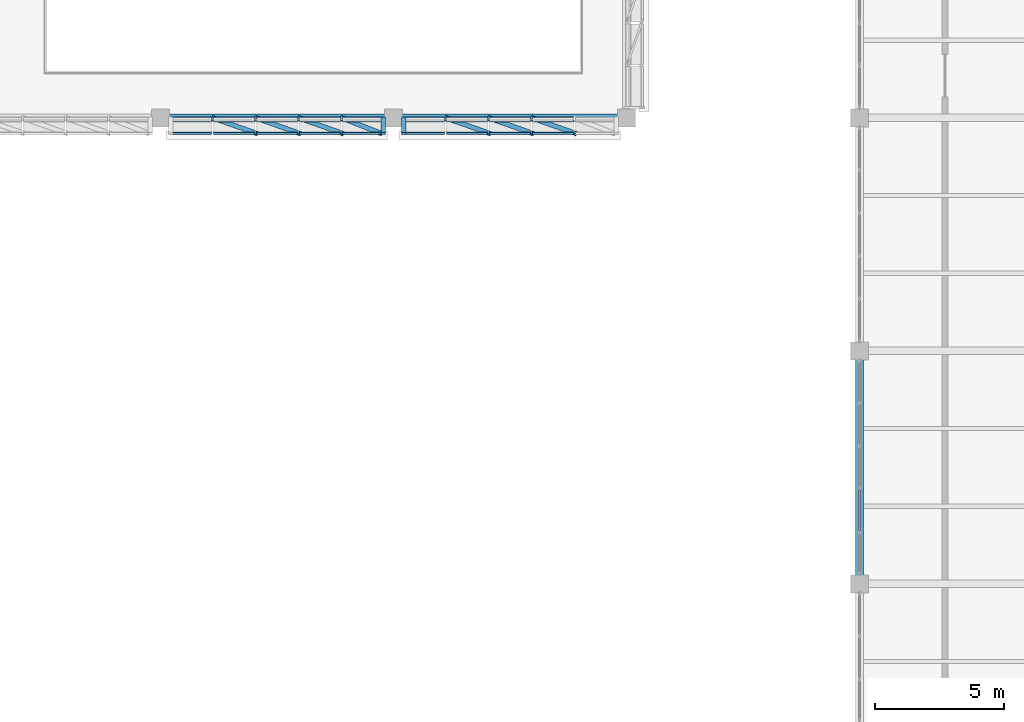
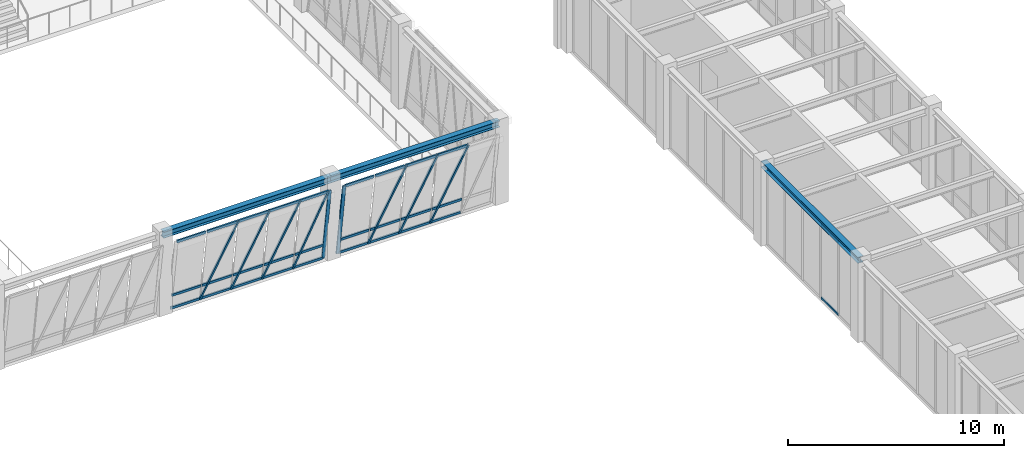
# One storey, part 48 of 92: 38 members, 3 beams, 3 elements without a shape of their own.
"""IFC4 building model written with IfcOpenShell, lengths in metres."""

from ifc_helpers import new_model, si_unit, direction, frame, origin, origin_2d, place, context, subcontext, project, spatial, hollow_rectangle, i_section, extrude, material, material_profile, profile_set, type_object, element, aggregate, save


model = new_model("IFC4")

# Units and contexts
model_context = context("Model", 3, precision=1e-05, world=origin(), true_north=direction((0.0, 1.0)))
body_context = subcontext(model_context, "Body", "Model", "MODEL_VIEW")
ifc_project = project(units=[si_unit("LENGTHUNIT", "METRE"), si_unit("AREAUNIT", "SQUARE_METRE"), si_unit("VOLUMEUNIT", "CUBIC_METRE"), si_unit("PLANEANGLEUNIT", "RADIAN"), si_unit("MASSUNIT", "GRAM", prefix="KILO")], contexts=[model_context])

# Site, building, storey
site_placement = place(None, origin())
site = spatial("IfcSite", under=ifc_project, at=site_placement, CompositionType="ELEMENT")
building_placement = place(site_placement, origin())
building = spatial("IfcBuilding", under=site, at=building_placement, Name="Lykobir Media Centre", CompositionType="ELEMENT")
storey_placement = place(building_placement, frame((0.0, 0.0, 5.39990234375)))
storey = spatial("IfcBuildingStorey", under=building, at=storey_placement, Name="L01", CompositionType="ELEMENT", Elevation=5.39990234375)

# Curtain wall, members
ifc_material_1 = material(Name="Anodized Aluminium AW-6060", Category="aluminium")
curtain_wall_type_1 = type_object("IfcCurtainWallType", Name="CW-V6-CR1", PredefinedType="NOTDEFINED", material=ifc_material_1)
curtain_wall_1_placement = place(storey_placement, origin())
curtain_wall_1 = element("IfcCurtainWall", 1, at=curtain_wall_1_placement, inside=storey, type_object=curtain_wall_type_1, Name="Curtain wall CW2-L01-0056", PredefinedType="NOTDEFINED")
ifc_material_profile_1 = material_profile(ifc_material_1, hollow_rectangle(XDim=0.074951171875, YDim=0.179931640625, WallThickness=0.00390625, at=origin_2d()), Name="ALU MULLION 75x180")
ifc_profile_set_1 = profile_set([ifc_material_profile_1], Name="Anodized Aluminium AW-6060")
member_type_1 = type_object("IfcMemberType", Name="CWM-180", PredefinedType="MULLION", material=ifc_profile_set_1)
member_1_placement = place(storey_placement, frame((65.012939453125, 63.0, 0.0), z_axis=(0.374602604658, -0.132237817099, 0.917706951217), x_axis=(-0.865370560596, 0.305482963792, 0.39725804169)))
member_1 = element("IfcMember", 2, at=member_1_placement, type_object=member_type_1, Name="CW2-L01-0056 mullion 2", PredefinedType="MULLION", context=body_context, shape_type="SweptSolid", body=[
    extrude(hollow_rectangle(XDim=0.074951171875, YDim=0.179931640625, WallThickness=0.00390625, at=origin_2d()), origin(), (0.0, 0.0, 1.0), 4.5712890625),
])
member_2_placement = place(storey_placement, frame((66.6708984375, 63.0, 0.0), z_axis=(0.374602604658, -0.132237817099, 0.917706951217), x_axis=(-0.865370560596, 0.305482963792, 0.39725804169)))
member_2 = element("IfcMember", 3, at=member_2_placement, type_object=member_type_1, Name="CW2-L01-0056 mullion 3", PredefinedType="MULLION", context=body_context, shape_type="SweptSolid", body=[
    extrude(hollow_rectangle(XDim=0.074951171875, YDim=0.179931640625, WallThickness=0.00390625, at=origin_2d()), origin(), (0.0, 0.0, 1.0), 4.5712890625),
])
member_3_placement = place(storey_placement, frame((68.3291015625, 63.0, 0.0), z_axis=(0.374602604658, -0.132237817099, 0.917706951217), x_axis=(-0.865370560596, 0.305482963792, 0.39725804169)))
member_3 = element("IfcMember", 4, at=member_3_placement, type_object=member_type_1, Name="CW2-L01-0056 mullion 4", PredefinedType="MULLION", context=body_context, shape_type="SweptSolid", body=[
    extrude(hollow_rectangle(XDim=0.074951171875, YDim=0.179931640625, WallThickness=0.00390625, at=origin_2d()), origin(), (0.0, 0.0, 1.0), 4.5712890625),
])
member_4_placement = place(storey_placement, frame((69.987060546875, 63.0, 0.0), z_axis=(0.34256027137, -0.133993559544, 0.929891491777), x_axis=(-0.865999136953, 0.338738366998, 0.367833948298)))
member_4 = element("IfcMember", 5, at=member_4_placement, type_object=member_type_1, Name="CW2-L01-0056 mullion 5", PredefinedType="MULLION", context=body_context, shape_type="SweptSolid", body=[
    extrude(hollow_rectangle(XDim=0.074951171875, YDim=0.179931640625, WallThickness=0.00390625, at=origin_2d()), origin(), (0.0, 0.0, 1.0), 4.511474609375),
])
member_5_placement = place(storey_placement, frame((71.607421875, 63.0, 0.0), z_axis=(0.0, -0.142622832142, 0.989777110137), x_axis=(0.0, 0.989777110137, 0.142622832142)))
member_5 = element("IfcMember", 6, at=member_5_placement, type_object=member_type_1, Name="CW2-L01-0056 mullion 6", PredefinedType="MULLION", context=body_context, shape_type="SweptSolid", body=[
    extrude(hollow_rectangle(XDim=0.074951171875, YDim=0.179931640625, WallThickness=0.00390625, at=origin_2d()), origin(), (0.0, 0.0, 1.0), 4.23828125),
])

curtain_wall_2_placement = place(storey_placement, origin())
curtain_wall_2 = element("IfcCurtainWall", 7, at=curtain_wall_2_placement, inside=storey, type_object=curtain_wall_type_1, Name="Curtain wall CW2-L01-0057", PredefinedType="NOTDEFINED")
member_6_placement = place(storey_placement, frame((72.392578125, 63.0, 0.0), z_axis=(0.0, -0.142622832142, 0.989777110137), x_axis=(0.0, 0.989777110137, 0.142622832142)))
member_6 = element("IfcMember", 8, at=member_6_placement, type_object=member_type_1, Name="CW2-L01-0057 mullion 1", PredefinedType="MULLION", context=body_context, shape_type="SweptSolid", body=[
    extrude(hollow_rectangle(XDim=0.074951171875, YDim=0.179931640625, WallThickness=0.00390625, at=origin_2d()), origin(), (0.0, 0.0, 1.0), 4.23828125),
])
member_7_placement = place(storey_placement, frame((74.012939453125, 63.0, 0.0), z_axis=(0.374602604658, -0.132237817099, 0.917706951217), x_axis=(-0.865370560596, 0.305482963792, 0.39725804169)))
member_7 = element("IfcMember", 9, at=member_7_placement, type_object=member_type_1, Name="CW2-L01-0057 mullion 2", PredefinedType="MULLION", context=body_context, shape_type="SweptSolid", body=[
    extrude(hollow_rectangle(XDim=0.074951171875, YDim=0.179931640625, WallThickness=0.00390625, at=origin_2d()), origin(), (0.0, 0.0, 1.0), 4.5712890625),
])
member_8_placement = place(storey_placement, frame((75.6708984375, 63.0, 0.0), z_axis=(0.374602604658, -0.132237817099, 0.917706951217), x_axis=(-0.865370560596, 0.305482963792, 0.39725804169)))
member_8 = element("IfcMember", 10, at=member_8_placement, type_object=member_type_1, Name="CW2-L01-0057 mullion 3", PredefinedType="MULLION", context=body_context, shape_type="SweptSolid", body=[
    extrude(hollow_rectangle(XDim=0.074951171875, YDim=0.179931640625, WallThickness=0.00390625, at=origin_2d()), origin(), (0.0, 0.0, 1.0), 4.5712890625),
])
member_9_placement = place(storey_placement, frame((77.3291015625, 63.0, 0.0), z_axis=(0.374602604658, -0.132237817099, 0.917706951217), x_axis=(-0.865370560596, 0.305482963792, 0.39725804169)))
member_9 = element("IfcMember", 11, at=member_9_placement, type_object=member_type_1, Name="CW2-L01-0057 mullion 4", PredefinedType="MULLION", context=body_context, shape_type="SweptSolid", body=[
    extrude(hollow_rectangle(XDim=0.074951171875, YDim=0.179931640625, WallThickness=0.00390625, at=origin_2d()), origin(), (0.0, 0.0, 1.0), 4.5712890625),
])

curtain_wall_type_2 = type_object("IfcCurtainWallType", Name="CW-BRIDGE", PredefinedType="NOTDEFINED", material=ifc_material_1)
curtain_wall_3_placement = place(storey_placement, origin())
curtain_wall_3 = element("IfcCurtainWall", 12, at=curtain_wall_3_placement, inside=storey, type_object=curtain_wall_type_2, Name="Curtain wall CW2-L01-0040", PredefinedType="NOTDEFINED")
ifc_material_profile_2 = material_profile(ifc_material_1, hollow_rectangle(XDim=0.06494140625, YDim=0.1201171875, WallThickness=0.0029296875, at=origin_2d()), Name="ALU TRANSOM 65x120")
ifc_profile_set_2 = profile_set([ifc_material_profile_2], Name="Anodized Aluminium AW-6060")
member_type_2 = type_object("IfcMemberType", Name="CWT-120", PredefinedType="USERDEFINED", material=ifc_profile_set_2)
member_10_placement = place(storey_placement, frame((90.0, 47.04541015625, 0.03271484375), z_axis=(0.0, 1.0, 0.0), x_axis=(-1.0, 0.0, 0.0)))
member_10 = element("IfcMember", 13, at=member_10_placement, type_object=member_type_2, Name="CW2-L01-0040 transom 2.1", ObjectType="TRANSOM", PredefinedType="USERDEFINED", context=body_context, shape_type="SweptSolid", body=[
    extrude(hollow_rectangle(XDim=0.06494140625, YDim=0.1201171875, WallThickness=0.0029296875, at=origin_2d()), origin(), (0.0, 0.0, 1.0), 1.593017578125),
])
member_11_placement = place(storey_placement, frame((90.0, 47.04541015625, 4.16259765625), z_axis=(0.0, 1.0, 0.0), x_axis=(-1.0, 0.0, 0.0)))
member_11 = element("IfcMember", 14, at=member_11_placement, type_object=member_type_2, Name="CW2-L01-0040 transom 2.2", ObjectType="TRANSOM", PredefinedType="USERDEFINED", context=body_context, shape_type="SweptSolid", body=[
    extrude(hollow_rectangle(XDim=0.06494140625, YDim=0.1201171875, WallThickness=0.0029296875, at=origin_2d()), origin(), (0.0, 0.0, 1.0), 1.593017578125),
])
aggregate(curtain_wall_3, [member_10, member_11])

# Member
ifc_material_profile_3 = material_profile(ifc_material_1, hollow_rectangle(XDim=0.074951171875, YDim=0.14990234375, WallThickness=0.00341796875, at=origin_2d()), Name="ALU TRANSOM 75x150")
ifc_profile_set_3 = profile_set([ifc_material_profile_3], Name="Anodized Aluminium AW-6060")
member_type_3 = type_object("IfcMemberType", Name="CWT-150", PredefinedType="USERDEFINED", material=ifc_profile_set_3)
member_12_placement = place(storey_placement, frame((63.429931640625, 62.99462890625, 0.037109375), z_axis=(1.0, 0.0, 0.0), x_axis=(0.0, 0.989776230908, 0.142628933706)))
member_12 = element("IfcMember", 15, at=member_12_placement, type_object=member_type_3, Name="CW2-L01-0056 transom 1.1", ObjectType="TRANSOM", PredefinedType="USERDEFINED", context=body_context, shape_type="SweptSolid", body=[
    extrude(hollow_rectangle(XDim=0.074951171875, YDim=0.14990234375, WallThickness=0.00341796875, at=origin_2d()), origin(), (0.0, 0.0, 1.0), 1.545654296875),
])

member_13_placement = place(storey_placement, frame((63.429931640625, 62.87890625, 0.84130859375), z_axis=(1.0, 0.0, 0.0), x_axis=(0.0, 0.989776230908, 0.142628933706)))
member_13 = element("IfcMember", 16, at=member_13_placement, type_object=member_type_3, Name="CW2-L01-0056 transom 1.2", ObjectType="TRANSOM", PredefinedType="USERDEFINED", context=body_context, shape_type="SweptSolid", body=[
    extrude(hollow_rectangle(XDim=0.074951171875, YDim=0.14990234375, WallThickness=0.00341796875, at=origin_2d()), origin(), (0.0, 0.0, 1.0), 1.545654296875),
])

member_14_placement = place(storey_placement, frame((63.429931640625, 62.40087890625, 4.157958984375), z_axis=(1.0, 0.0, 0.0), x_axis=(0.0, 0.989776230908, 0.142628933706)))
member_14 = element("IfcMember", 17, at=member_14_placement, type_object=member_type_3, Name="CW2-L01-0056 transom 1.3", ObjectType="TRANSOM", PredefinedType="USERDEFINED", context=body_context, shape_type="SweptSolid", body=[
    extrude(hollow_rectangle(XDim=0.074951171875, YDim=0.14990234375, WallThickness=0.00341796875, at=origin_2d()), origin(), (0.0, 0.0, 1.0), 1.545654296875),
])

member_15_placement = place(storey_placement, frame((65.050537109375, 62.99462890625, 0.037109375), z_axis=(1.0, 0.0, 0.0), x_axis=(0.0, 0.989776230908, 0.142628933706)))
member_15 = element("IfcMember", 18, at=member_15_placement, type_object=member_type_3, Name="CW2-L01-0056 transom 2.1", ObjectType="TRANSOM", PredefinedType="USERDEFINED", context=body_context, shape_type="SweptSolid", body=[
    extrude(hollow_rectangle(XDim=0.074951171875, YDim=0.14990234375, WallThickness=0.00341796875, at=origin_2d()), origin(), (0.0, 0.0, 1.0), 1.5830078125),
])

member_16_placement = place(storey_placement, frame((65.050537109375, 62.87890625, 0.84130859375), z_axis=(1.0, 0.0, 0.0), x_axis=(0.0, 0.989776230908, 0.142628933706)))
member_16 = element("IfcMember", 19, at=member_16_placement, type_object=member_type_3, Name="CW2-L01-0056 transom 2.2", ObjectType="TRANSOM", PredefinedType="USERDEFINED", context=body_context, shape_type="SweptSolid", body=[
    extrude(hollow_rectangle(XDim=0.074951171875, YDim=0.14990234375, WallThickness=0.00341796875, at=origin_2d()), origin(), (0.0, 0.0, 1.0), 1.5830078125),
])

member_17_placement = place(storey_placement, frame((65.050537109375, 62.40087890625, 4.157958984375), z_axis=(1.0, 0.0, 0.0), x_axis=(0.0, 0.989776230908, 0.142628933706)))
member_17 = element("IfcMember", 20, at=member_17_placement, type_object=member_type_3, Name="CW2-L01-0056 transom 2.3", ObjectType="TRANSOM", PredefinedType="USERDEFINED", context=body_context, shape_type="SweptSolid", body=[
    extrude(hollow_rectangle(XDim=0.074951171875, YDim=0.14990234375, WallThickness=0.00341796875, at=origin_2d()), origin(), (0.0, 0.0, 1.0), 1.5830078125),
])

member_18_placement = place(storey_placement, frame((66.70849609375, 62.99462890625, 0.037109375), z_axis=(1.0, 0.0, 0.0), x_axis=(0.0, 0.989776230908, 0.142628933706)))
member_18 = element("IfcMember", 21, at=member_18_placement, type_object=member_type_3, Name="CW2-L01-0056 transom 3.1", ObjectType="TRANSOM", PredefinedType="USERDEFINED", context=body_context, shape_type="SweptSolid", body=[
    extrude(hollow_rectangle(XDim=0.074951171875, YDim=0.14990234375, WallThickness=0.00341796875, at=origin_2d()), origin(), (0.0, 0.0, 1.0), 1.5830078125),
])

member_19_placement = place(storey_placement, frame((66.70849609375, 62.87890625, 0.84130859375), z_axis=(1.0, 0.0, 0.0), x_axis=(0.0, 0.989776230908, 0.142628933706)))
member_19 = element("IfcMember", 22, at=member_19_placement, type_object=member_type_3, Name="CW2-L01-0056 transom 3.2", ObjectType="TRANSOM", PredefinedType="USERDEFINED", context=body_context, shape_type="SweptSolid", body=[
    extrude(hollow_rectangle(XDim=0.074951171875, YDim=0.14990234375, WallThickness=0.00341796875, at=origin_2d()), origin(), (0.0, 0.0, 1.0), 1.5830078125),
])

member_20_placement = place(storey_placement, frame((66.70849609375, 62.40087890625, 4.157958984375), z_axis=(1.0, 0.0, 0.0), x_axis=(0.0, 0.989776230908, 0.142628933706)))
member_20 = element("IfcMember", 23, at=member_20_placement, type_object=member_type_3, Name="CW2-L01-0056 transom 3.3", ObjectType="TRANSOM", PredefinedType="USERDEFINED", context=body_context, shape_type="SweptSolid", body=[
    extrude(hollow_rectangle(XDim=0.074951171875, YDim=0.14990234375, WallThickness=0.00341796875, at=origin_2d()), origin(), (0.0, 0.0, 1.0), 1.5830078125),
])

member_21_placement = place(storey_placement, frame((68.366455078125, 62.99462890625, 0.037109375), z_axis=(1.0, 0.0, 0.0), x_axis=(0.0, 0.989776230908, 0.142628933706)))
member_21 = element("IfcMember", 24, at=member_21_placement, type_object=member_type_3, Name="CW2-L01-0056 transom 4.1", ObjectType="TRANSOM", PredefinedType="USERDEFINED", context=body_context, shape_type="SweptSolid", body=[
    extrude(hollow_rectangle(XDim=0.074951171875, YDim=0.14990234375, WallThickness=0.00341796875, at=origin_2d()), origin(), (0.0, 0.0, 1.0), 1.5830078125),
])

member_22_placement = place(storey_placement, frame((68.366455078125, 62.87890625, 0.84130859375), z_axis=(1.0, 0.0, 0.0), x_axis=(0.0, 0.989776230908, 0.142628933706)))
member_22 = element("IfcMember", 25, at=member_22_placement, type_object=member_type_3, Name="CW2-L01-0056 transom 4.2", ObjectType="TRANSOM", PredefinedType="USERDEFINED", context=body_context, shape_type="SweptSolid", body=[
    extrude(hollow_rectangle(XDim=0.074951171875, YDim=0.14990234375, WallThickness=0.00341796875, at=origin_2d()), origin(), (0.0, 0.0, 1.0), 1.5830078125),
])

member_23_placement = place(storey_placement, frame((68.366455078125, 62.40087890625, 4.157958984375), z_axis=(1.0, 0.0, 0.0), x_axis=(0.0, 0.989776230908, 0.142628933706)))
member_23 = element("IfcMember", 26, at=member_23_placement, type_object=member_type_3, Name="CW2-L01-0056 transom 4.3", ObjectType="TRANSOM", PredefinedType="USERDEFINED", context=body_context, shape_type="SweptSolid", body=[
    extrude(hollow_rectangle(XDim=0.074951171875, YDim=0.14990234375, WallThickness=0.00341796875, at=origin_2d()), origin(), (0.0, 0.0, 1.0), 1.5830078125),
])

member_24_placement = place(storey_placement, frame((70.0244140625, 62.99462890625, 0.037109375), z_axis=(1.0, 0.0, 0.0), x_axis=(0.0, 0.989776230908, 0.142628933706)))
member_24 = element("IfcMember", 27, at=member_24_placement, type_object=member_type_3, Name="CW2-L01-0056 transom 5.1", ObjectType="TRANSOM", PredefinedType="USERDEFINED", context=body_context, shape_type="SweptSolid", body=[
    extrude(hollow_rectangle(XDim=0.074951171875, YDim=0.14990234375, WallThickness=0.00341796875, at=origin_2d()), origin(), (0.0, 0.0, 1.0), 1.545654296875),
])

member_25_placement = place(storey_placement, frame((70.0244140625, 62.87890625, 0.84130859375), z_axis=(1.0, 0.0, 0.0), x_axis=(0.0, 0.989776230908, 0.142628933706)))
member_25 = element("IfcMember", 28, at=member_25_placement, type_object=member_type_3, Name="CW2-L01-0056 transom 5.2", ObjectType="TRANSOM", PredefinedType="USERDEFINED", context=body_context, shape_type="SweptSolid", body=[
    extrude(hollow_rectangle(XDim=0.074951171875, YDim=0.14990234375, WallThickness=0.00341796875, at=origin_2d()), origin(), (0.0, 0.0, 1.0), 1.545654296875),
])

member_26_placement = place(storey_placement, frame((70.0244140625, 62.40087890625, 4.157958984375), z_axis=(1.0, 0.0, 0.0), x_axis=(0.0, 0.989776230908, 0.142628933706)))
member_26 = element("IfcMember", 29, at=member_26_placement, type_object=member_type_3, Name="CW2-L01-0056 transom 5.3", ObjectType="TRANSOM", PredefinedType="USERDEFINED", context=body_context, shape_type="SweptSolid", body=[
    extrude(hollow_rectangle(XDim=0.074951171875, YDim=0.14990234375, WallThickness=0.00341796875, at=origin_2d()), origin(), (0.0, 0.0, 1.0), 1.545654296875),
])

aggregate(curtain_wall_1, [member_1, member_2, member_3, member_4, member_5, member_12, member_13, member_14, member_15, member_16, member_17, member_18, member_19, member_20, member_21, member_22, member_23, member_24, member_25, member_26])

member_27_placement = place(storey_placement, frame((72.429931640625, 62.99462890625, 0.037109375), z_axis=(1.0, 0.0, 0.0), x_axis=(0.0, 0.989776230908, 0.142628933706)))
member_27 = element("IfcMember", 30, at=member_27_placement, type_object=member_type_3, Name="CW2-L01-0057 transom 1.1", ObjectType="TRANSOM", PredefinedType="USERDEFINED", context=body_context, shape_type="SweptSolid", body=[
    extrude(hollow_rectangle(XDim=0.074951171875, YDim=0.14990234375, WallThickness=0.00341796875, at=origin_2d()), origin(), (0.0, 0.0, 1.0), 1.545654296875),
])

member_28_placement = place(storey_placement, frame((72.429931640625, 62.87890625, 0.84130859375), z_axis=(1.0, 0.0, 0.0), x_axis=(0.0, 0.989776230908, 0.142628933706)))
member_28 = element("IfcMember", 31, at=member_28_placement, type_object=member_type_3, Name="CW2-L01-0057 transom 1.2", ObjectType="TRANSOM", PredefinedType="USERDEFINED", context=body_context, shape_type="SweptSolid", body=[
    extrude(hollow_rectangle(XDim=0.074951171875, YDim=0.14990234375, WallThickness=0.00341796875, at=origin_2d()), origin(), (0.0, 0.0, 1.0), 1.545654296875),
])

member_29_placement = place(storey_placement, frame((72.429931640625, 62.40087890625, 4.157958984375), z_axis=(1.0, 0.0, 0.0), x_axis=(0.0, 0.989776230908, 0.142628933706)))
member_29 = element("IfcMember", 32, at=member_29_placement, type_object=member_type_3, Name="CW2-L01-0057 transom 1.3", ObjectType="TRANSOM", PredefinedType="USERDEFINED", context=body_context, shape_type="SweptSolid", body=[
    extrude(hollow_rectangle(XDim=0.074951171875, YDim=0.14990234375, WallThickness=0.00341796875, at=origin_2d()), origin(), (0.0, 0.0, 1.0), 1.545654296875),
])

member_30_placement = place(storey_placement, frame((74.050537109375, 62.99462890625, 0.037109375), z_axis=(1.0, 0.0, 0.0), x_axis=(0.0, 0.989776230908, 0.142628933706)))
member_30 = element("IfcMember", 33, at=member_30_placement, type_object=member_type_3, Name="CW2-L01-0057 transom 2.1", ObjectType="TRANSOM", PredefinedType="USERDEFINED", context=body_context, shape_type="SweptSolid", body=[
    extrude(hollow_rectangle(XDim=0.074951171875, YDim=0.14990234375, WallThickness=0.00341796875, at=origin_2d()), origin(), (0.0, 0.0, 1.0), 1.5830078125),
])

member_31_placement = place(storey_placement, frame((74.050537109375, 62.87890625, 0.84130859375), z_axis=(1.0, 0.0, 0.0), x_axis=(0.0, 0.989776230908, 0.142628933706)))
member_31 = element("IfcMember", 34, at=member_31_placement, type_object=member_type_3, Name="CW2-L01-0057 transom 2.2", ObjectType="TRANSOM", PredefinedType="USERDEFINED", context=body_context, shape_type="SweptSolid", body=[
    extrude(hollow_rectangle(XDim=0.074951171875, YDim=0.14990234375, WallThickness=0.00341796875, at=origin_2d()), origin(), (0.0, 0.0, 1.0), 1.5830078125),
])

member_32_placement = place(storey_placement, frame((74.050537109375, 62.40087890625, 4.157958984375), z_axis=(1.0, 0.0, 0.0), x_axis=(0.0, 0.989776230908, 0.142628933706)))
member_32 = element("IfcMember", 35, at=member_32_placement, type_object=member_type_3, Name="CW2-L01-0057 transom 2.3", ObjectType="TRANSOM", PredefinedType="USERDEFINED", context=body_context, shape_type="SweptSolid", body=[
    extrude(hollow_rectangle(XDim=0.074951171875, YDim=0.14990234375, WallThickness=0.00341796875, at=origin_2d()), origin(), (0.0, 0.0, 1.0), 1.5830078125),
])

member_33_placement = place(storey_placement, frame((75.70849609375, 62.99462890625, 0.037109375), z_axis=(1.0, 0.0, 0.0), x_axis=(0.0, 0.989776230908, 0.142628933706)))
member_33 = element("IfcMember", 36, at=member_33_placement, type_object=member_type_3, Name="CW2-L01-0057 transom 3.1", ObjectType="TRANSOM", PredefinedType="USERDEFINED", context=body_context, shape_type="SweptSolid", body=[
    extrude(hollow_rectangle(XDim=0.074951171875, YDim=0.14990234375, WallThickness=0.00341796875, at=origin_2d()), origin(), (0.0, 0.0, 1.0), 1.5830078125),
])

member_34_placement = place(storey_placement, frame((75.70849609375, 62.87890625, 0.84130859375), z_axis=(1.0, 0.0, 0.0), x_axis=(0.0, 0.989776230908, 0.142628933706)))
member_34 = element("IfcMember", 37, at=member_34_placement, type_object=member_type_3, Name="CW2-L01-0057 transom 3.2", ObjectType="TRANSOM", PredefinedType="USERDEFINED", context=body_context, shape_type="SweptSolid", body=[
    extrude(hollow_rectangle(XDim=0.074951171875, YDim=0.14990234375, WallThickness=0.00341796875, at=origin_2d()), origin(), (0.0, 0.0, 1.0), 1.5830078125),
])

member_35_placement = place(storey_placement, frame((75.70849609375, 62.40087890625, 4.157958984375), z_axis=(1.0, 0.0, 0.0), x_axis=(0.0, 0.989776230908, 0.142628933706)))
member_35 = element("IfcMember", 38, at=member_35_placement, type_object=member_type_3, Name="CW2-L01-0057 transom 3.3", ObjectType="TRANSOM", PredefinedType="USERDEFINED", context=body_context, shape_type="SweptSolid", body=[
    extrude(hollow_rectangle(XDim=0.074951171875, YDim=0.14990234375, WallThickness=0.00341796875, at=origin_2d()), origin(), (0.0, 0.0, 1.0), 1.5830078125),
])

member_36_placement = place(storey_placement, frame((77.366455078125, 62.99462890625, 0.037109375), z_axis=(1.0, 0.0, 0.0), x_axis=(0.0, 0.989776230908, 0.142628933706)))
member_36 = element("IfcMember", 39, at=member_36_placement, type_object=member_type_3, Name="CW2-L01-0057 transom 4.1", ObjectType="TRANSOM", PredefinedType="USERDEFINED", context=body_context, shape_type="SweptSolid", body=[
    extrude(hollow_rectangle(XDim=0.074951171875, YDim=0.14990234375, WallThickness=0.00341796875, at=origin_2d()), origin(), (0.0, 0.0, 1.0), 1.5830078125),
])

member_37_placement = place(storey_placement, frame((77.366455078125, 62.87890625, 0.84130859375), z_axis=(1.0, 0.0, 0.0), x_axis=(0.0, 0.989776230908, 0.142628933706)))
member_37 = element("IfcMember", 40, at=member_37_placement, type_object=member_type_3, Name="CW2-L01-0057 transom 4.2", ObjectType="TRANSOM", PredefinedType="USERDEFINED", context=body_context, shape_type="SweptSolid", body=[
    extrude(hollow_rectangle(XDim=0.074951171875, YDim=0.14990234375, WallThickness=0.00341796875, at=origin_2d()), origin(), (0.0, 0.0, 1.0), 1.5830078125),
])

member_38_placement = place(storey_placement, frame((77.366455078125, 62.40087890625, 4.157958984375), z_axis=(1.0, 0.0, 0.0), x_axis=(0.0, 0.989776230908, 0.142628933706)))
member_38 = element("IfcMember", 41, at=member_38_placement, type_object=member_type_3, Name="CW2-L01-0057 transom 4.3", ObjectType="TRANSOM", PredefinedType="USERDEFINED", context=body_context, shape_type="SweptSolid", body=[
    extrude(hollow_rectangle(XDim=0.074951171875, YDim=0.14990234375, WallThickness=0.00341796875, at=origin_2d()), origin(), (0.0, 0.0, 1.0), 1.5830078125),
])

aggregate(curtain_wall_2, [member_6, member_7, member_8, member_9, member_27, member_28, member_29, member_30, member_31, member_32, member_33, member_34, member_35, member_36, member_37, member_38])

# Beams
ifc_material_2 = material(Name="Steel S355", Category="steel")
ifc_material_profile_4 = material_profile(ifc_material_2, i_section(OverallWidth=0.300048828125, OverallDepth=0.35009765625, WebThickness=0.010009765625, FlangeThickness=0.017578125, at=origin_2d()), Name="HEA 360")
ifc_profile_set_4 = profile_set([ifc_material_profile_4], Name="Steel S355")
beam_type_1 = type_object("IfcBeamType", Name="SP-HEA360", PredefinedType="SPANDREL", material=ifc_profile_set_4)
for number, where, z_axis, x_axis, name in (
    (42, (63.0, 63.0, 4.385009765625), (1.0, 0.0, 0.0), (0.0, 1.0, 0.0), "Beam BM-L01-0630-0630-0720-0630-978"),
    (43, (72.0, 63.0, 4.385009765625), (1.0, 0.0, 0.0), (0.0, 1.0, 0.0), "Beam BM-L01-0720-0630-0810-0630-978"),
):
    element("IfcBeam", number, at=place(storey_placement, frame(where, z_axis=z_axis, x_axis=x_axis)), inside=storey, type_object=beam_type_1, Name=name, PredefinedType="SPANDREL", context=body_context, shape_type="SweptSolid", body=[
        extrude(i_section(OverallWidth=0.300048828125, OverallDepth=0.35009765625, WebThickness=0.010009765625, FlangeThickness=0.017578125, at=origin_2d()), origin(), (0.0, 0.0, 1.0), 9.0),
    ])
ifc_material_profile_5 = material_profile(ifc_material_2, i_section(OverallWidth=0.300048828125, OverallDepth=0.35009765625, WebThickness=0.010009765625, FlangeThickness=0.017578125, at=origin_2d()), Name="HEA 360")
ifc_profile_set_5 = profile_set([ifc_material_profile_5], Name="Steel S355")
beam_type_2 = type_object("IfcBeamType", Name="SP-HEA360-E", PredefinedType="SPANDREL", material=ifc_profile_set_5)
beam_placement = place(storey_placement, frame((90.0, 45.0, 4.385009765625), z_axis=(0.0, 1.0, 0.0), x_axis=(-1.0, 0.0, 0.0)))
element("IfcBeam", 44, at=beam_placement, inside=storey, type_object=beam_type_2, Name="Beam BM-L01-0900-0450-0900-0540-978", PredefinedType="SPANDREL", context=body_context, shape_type="SweptSolid", body=[
    extrude(i_section(OverallWidth=0.300048828125, OverallDepth=0.35009765625, WebThickness=0.010009765625, FlangeThickness=0.017578125, at=origin_2d()), origin(), (0.0, 0.0, 1.0), 9.0),
])

save(model, "model.ifc")
